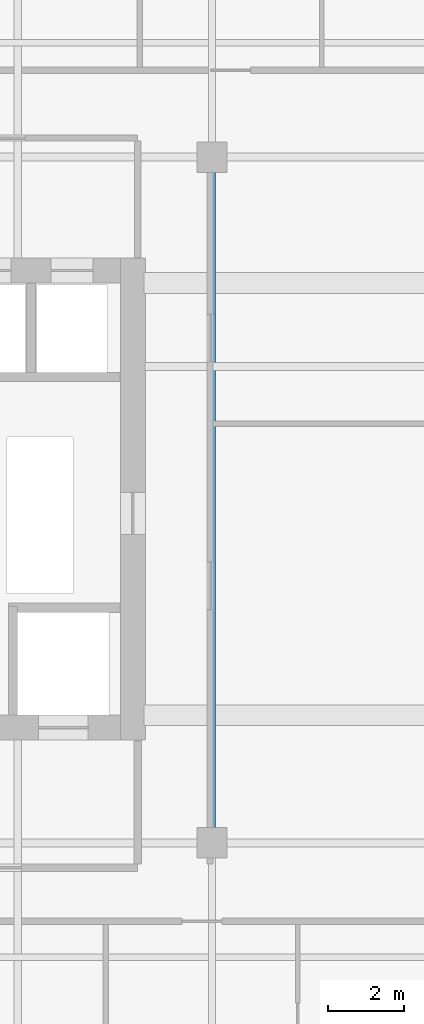
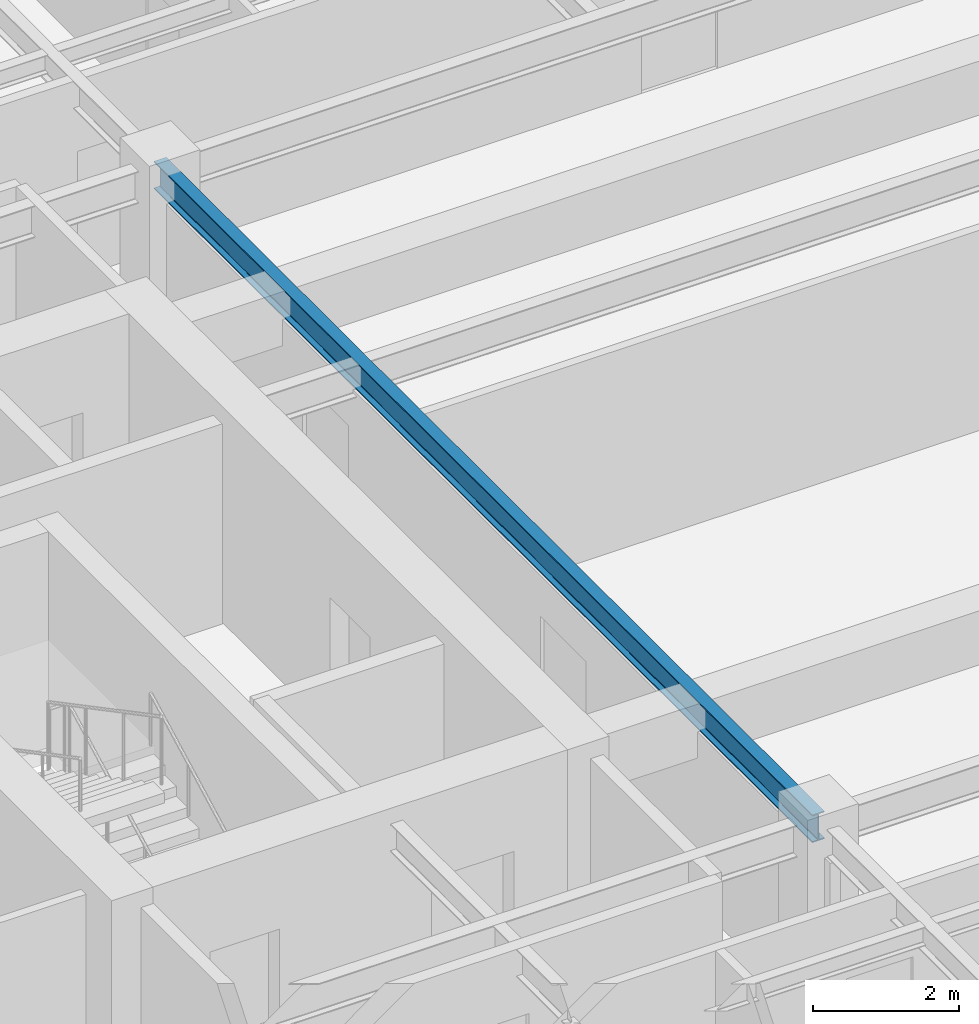
# One storey, part 6 of 21: 1 beam.
"""IFC4 building model written with IfcOpenShell, lengths in metres."""

from ifc_helpers import new_model, si_unit, direction, frame, origin, origin_2d, place, context, subcontext, project, spatial, i_section, extrude, source, transform, mapped, material, material_profile, profile_set, type_object, element, save


model = new_model("IFC4")

# Units and contexts
model_context = context("Model", 3, precision=1e-05, world=origin(), true_north=direction((0.0, 1.0)))
body_context = subcontext(model_context, "Body", "Model", "MODEL_VIEW")
ifc_project = project(units=[si_unit("LENGTHUNIT", "METRE"), si_unit("AREAUNIT", "SQUARE_METRE"), si_unit("VOLUMEUNIT", "CUBIC_METRE"), si_unit("PLANEANGLEUNIT", "RADIAN"), si_unit("MASSUNIT", "GRAM", prefix="KILO")], contexts=[model_context])

# Site, building, storey
site_placement = place(None, origin())
site = spatial("IfcSite", under=ifc_project, at=site_placement, CompositionType="ELEMENT")
building_placement = place(site_placement, origin())
building = spatial("IfcBuilding", under=site, at=building_placement, Name="Khoralis Quay Care Tower", CompositionType="ELEMENT")
storey_placement = place(building_placement, frame((0.0, 0.0, 159.300048828125)))
storey = spatial("IfcBuildingStorey", under=building, at=storey_placement, Name="L41", CompositionType="ELEMENT", Elevation=159.300048828125)

# Beam
ifc_material = material(Name="Steel S355", Category="steel")
ifc_material_profile = material_profile(ifc_material, i_section(OverallWidth=0.19189453125, OverallDepth=0.462890625, WebThickness=0.010498046875, FlangeThickness=0.017578125, FilletRadius=0.014892578125, at=origin_2d()), Name="Steel S355")
ifc_profile_set = profile_set([ifc_material_profile], Name="Steel S355")
beam_type = type_object("IfcBeamType", Name="BM-W460X89", PredefinedType="BEAM", material=ifc_profile_set)
shared_shape = source(origin(), body_context, "Body", "SweptSolid", [
    extrude(i_section(OverallWidth=0.19189453125, OverallDepth=0.462890625, WebThickness=0.010498046875, FlangeThickness=0.017578125, FilletRadius=0.014892578125, at=origin_2d()), origin(), (0.0, 0.0, 1.0), 18.0),
])
beam_placement = place(storey_placement, frame((17.10009765625, 12.0, 3.1083984375), z_axis=(0.0, 1.0, 0.0), x_axis=(-1.0, 0.0, 0.0)))
element("IfcBeam", 1, at=beam_placement, inside=storey, type_object=beam_type, Name="BM-TGSW-L41", PredefinedType="BEAM", context=body_context, shape_type="MappedRepresentation", body=[
    mapped(shared_shape, transform((0.0, 0.0, 0.0), scale=1.0)),
])

save(model, "model.ifc")
